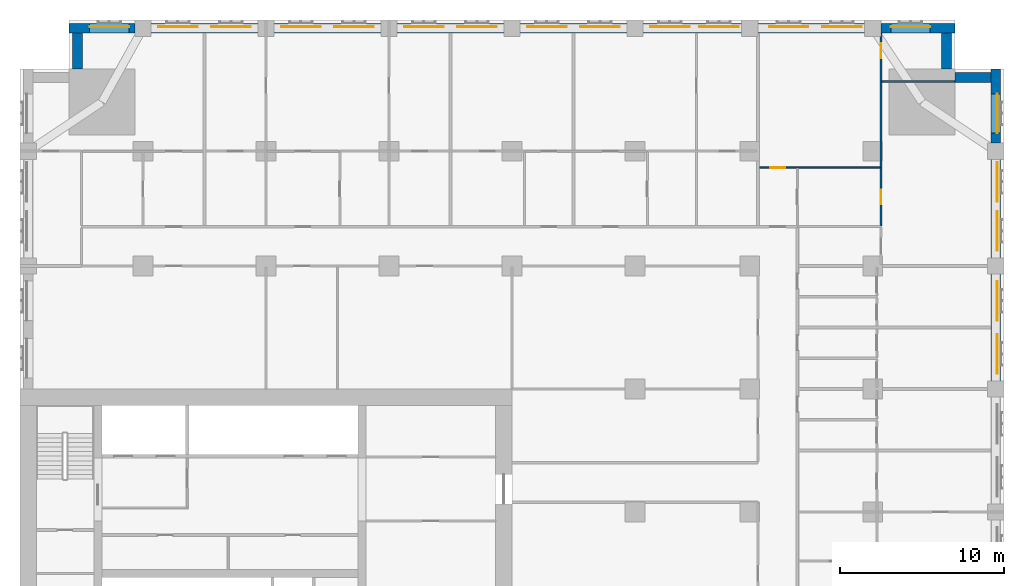
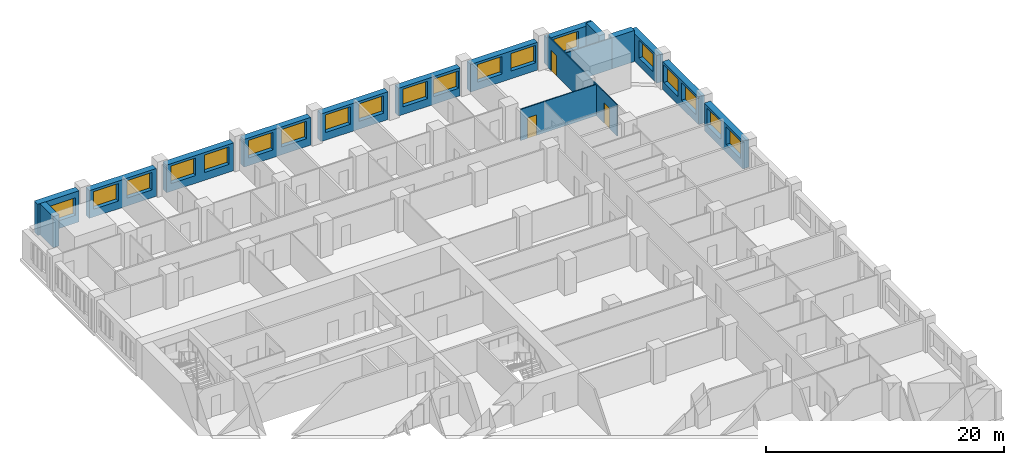
# One storey, part 11 of 14: 19 windows, 17 walls, 3 doors, 22 openings.
"""IFC4 building model written with IfcOpenShell, lengths in metres."""

import ifcopenshell
import ifcopenshell.guid

model = None  # the IFC model being written
_history = None  # IfcOwnerHistory: only IFC2X3 demands one
_inside = {}  # id of a spatial element -> (the spatial element, [elements in it])
_under = {}  # id of a project, library or spatial element -> (it, [spatial elements below it])
_declared = {}  # id of a project -> (the project, [libraries it declares])
_typed = {}  # id of a type object -> (the type object, [elements of that type])
_made_of = {}  # id of a material, layer set ... -> (it, [elements and type objects made of it])


def new_model(schema):
    """Start an empty IFC model of exactly this schema.

    Asked for "IFC4X3", IfcOpenShell would pick the latest addendum, in which some entities
    have other attributes; the version numbers below select the first issue.
    IFC2X3 requires an IfcOwnerHistory on every rooted entity: one is made here for all.
    """
    global model, _history
    if schema == "IFC4X3":
        model = ifcopenshell.file(schema_version=(4, 3, 0, 0))
    else:
        model = ifcopenshell.file(schema=schema)
    _inside.clear()
    _under.clear()
    _declared.clear()
    _typed.clear()
    _made_of.clear()
    _history = None
    if model.schema == "IFC2X3":
        org = make("IfcOrganization", Name="unknown")
        user = make(
            "IfcPersonAndOrganization",
            ThePerson=make("IfcPerson", FamilyName="unknown"),
            TheOrganization=org,
        )
        app = make(
            "IfcApplication",
            ApplicationDeveloper=org,
            Version="unknown",
            ApplicationFullName="unknown",
            ApplicationIdentifier="unknown",
        )
        _history = make(
            "IfcOwnerHistory",
            OwningUser=user,
            OwningApplication=app,
            ChangeAction="ADDED",
            CreationDate=0,
        )
    return model


def make(cls, **values):
    """One entity of the class cls with the attributes given. An attribute that is None is left unset."""
    return model.create_entity(
        cls, **{name: value for name, value in values.items() if value is not None}
    )


def rooted(cls, **values):
    """An entity with a GlobalId (a new one), such as an element, a storey or a relation."""
    return make(cls, GlobalId=ifcopenshell.guid.new(), OwnerHistory=_history, **values)


def si_unit(unit_type, name, prefix=None):
    """IfcSIUnit, for example si_unit("LENGTHUNIT", "METRE", prefix="MILLI")."""
    return make("IfcSIUnit", UnitType=unit_type, Prefix=prefix, Name=name)


def assignment(units):
    """IfcUnitAssignment: the units of a project."""
    return None if units is None else make("IfcUnitAssignment", Units=units)


def point(xyz):
    """IfcCartesianPoint."""
    return None if xyz is None else make("IfcCartesianPoint", Coordinates=xyz)


def direction(xyz):
    """IfcDirection."""
    return None if xyz is None else make("IfcDirection", DirectionRatios=xyz)


def frame(location, z_axis=None, x_axis=None):
    """IfcAxis2Placement3D, a coordinate frame: its origin and axes. An axis left out is left unset."""
    return make(
        "IfcAxis2Placement3D",
        Location=point(location),
        Axis=direction(z_axis),
        RefDirection=direction(x_axis),
    )


def frame_2d(location, x_axis=None):
    """IfcAxis2Placement2D, a coordinate frame in the plane: its origin and x axis."""
    return make(
        "IfcAxis2Placement2D", Location=point(location), RefDirection=direction(x_axis)
    )


def origin():
    """The frame at (0, 0, 0) with its axes left unset."""
    return frame((0.0, 0.0, 0.0))


def place(relative_to, where):
    """IfcLocalPlacement: puts the frame where relative to a parent placement (None: the world)."""
    return make(
        "IfcLocalPlacement", PlacementRelTo=relative_to, RelativePlacement=where
    )


def context(
    kind, dimensions, precision=None, world=None, true_north=None, identifier=None
):
    """IfcGeometricRepresentationContext, for example the 3D "Model" context."""
    return make(
        "IfcGeometricRepresentationContext",
        ContextIdentifier=identifier,
        ContextType=kind,
        CoordinateSpaceDimension=dimensions,
        Precision=precision,
        WorldCoordinateSystem=world,
        TrueNorth=true_north,
    )


def subcontext(parent, identifier, kind, view, scale=None):
    """IfcGeometricRepresentationSubContext, for example "Body" below "Model"."""
    return make(
        "IfcGeometricRepresentationSubContext",
        ContextIdentifier=identifier,
        ContextType=kind,
        ParentContext=parent,
        TargetScale=scale,
        TargetView=view,
    )


def project(units=None, contexts=None):
    """IfcProject with its units and contexts."""
    return rooted(
        "IfcProject",
        Name="project",
        RepresentationContexts=contexts,
        UnitsInContext=assignment(units),
    )


def spatial(cls, under=None, at=None, **own):
    """A site, building, storey or space (cls), placed at a placement, below another one or the project."""
    s = rooted(cls, ObjectPlacement=at, **own)
    if under is not None:
        _under.setdefault(under.id(), (under, []))[1].append(s)
    return s


def profile(cls, at=None, kind="AREA", **sizes):
    """A parametric profile (cls). Its sizes go by their IFC names, for example OverallWidth=200.0."""
    return make(cls, ProfileType=kind, Position=at, **sizes)


def rectangle(**sizes):
    """IfcRectangleProfileDef."""
    return profile("IfcRectangleProfileDef", **sizes)


def extrude(swept, where, along, depth):
    """IfcExtrudedAreaSolid: the profile swept, set in the frame where, extruded along a direction by depth."""
    return make(
        "IfcExtrudedAreaSolid",
        SweptArea=swept,
        Position=where,
        ExtrudedDirection=direction(along),
        Depth=depth,
    )


def shape(context_of_items, identifier, shape_type, items):
    """IfcShapeRepresentation: the items that make up one representation, for example the "Body"."""
    return make(
        "IfcShapeRepresentation",
        ContextOfItems=context_of_items,
        RepresentationIdentifier=identifier,
        RepresentationType=shape_type,
        Items=items,
    )


def material(Name=None, Category=None):
    """IfcMaterial."""
    return make("IfcMaterial", Name=Name, Category=Category)


def layer(
    of_material, thickness, ventilated=None, Name=None, Category=None, Priority=None
):
    """IfcMaterialLayer: one layer of a wall or slab, of a material (None: an air gap)."""
    return make(
        "IfcMaterialLayer",
        Material=of_material,
        LayerThickness=thickness,
        IsVentilated=ventilated,
        Name=Name,
        Category=Category,
        Priority=Priority,
    )


def layer_set(layers, Name=None):
    """IfcMaterialLayerSet."""
    return make("IfcMaterialLayerSet", MaterialLayers=layers, LayerSetName=Name)


def made_of(thing, what):
    """Note that an element or type object is made of a material, layer set ...; save() writes the relation."""
    if what is not None:
        _made_of.setdefault(what.id(), (what, []))[1].append(thing)
    return thing


def type_object(cls, material=None, **own):
    """A type object (cls), such as IfcWallType, which elements share."""
    return made_of(rooted(cls, **own), material)


def element(
    cls,
    number,
    at=None,
    inside=None,
    cuts=None,
    type_object=None,
    material=None,
    context=None,
    identifier="Body",
    shape_type=None,
    held_by="IfcProductDefinitionShape",
    body=None,
    shapes=None,
    **own,
):
    """One element of the class cls, such as IfcWall. Its Tag is "e" and its number.

    at: its placement. inside: the storey or other place that contains it. cuts: it is an
    opening in that element (IfcRelVoidsElement). A single representation is given by context,
    identifier, shape_type and body (its items); several are given by shapes. held_by: the class
    of the entity that holds the representations. save() writes the other relations.
    """
    e = rooted(cls, Tag="e%d" % number, ObjectPlacement=at, **own)
    if body is not None:
        shapes = [shape(context, identifier, shape_type, body)]
    if shapes is not None:
        e.Representation = make(held_by, Representations=shapes)
    if inside is not None:
        _inside.setdefault(inside.id(), (inside, []))[1].append(e)
    if cuts is not None:
        rooted(
            "IfcRelVoidsElement", RelatingBuildingElement=cuts, RelatedOpeningElement=e
        )
    if type_object is not None:
        _typed.setdefault(type_object.id(), (type_object, []))[1].append(e)
    return made_of(e, material)


def fill(opening, filler):
    """IfcRelFillsElement: the door or window that sits in an opening."""
    return rooted(
        "IfcRelFillsElement",
        RelatingOpeningElement=opening,
        RelatedBuildingElement=filler,
    )


def aggregate(whole, parts):
    """IfcRelAggregates: a whole, such as a stair, and the parts it consists of."""
    return rooted("IfcRelAggregates", RelatingObject=whole, RelatedObjects=parts)


def save(model, path):
    """Write the relations noted so far, then the file.

    IfcRelAggregates (storeys below a building ...), IfcRelContainedInSpatialStructure (elements
    in a storey), IfcRelDefinesByType, IfcRelAssociatesMaterial and IfcRelDeclares: one each for
    every whole, place, type object, material and project.
    """
    for whole, parts in _under.values():
        aggregate(whole, parts)
    for where, things in _inside.values():
        rooted(
            "IfcRelContainedInSpatialStructure",
            RelatedElements=things,
            RelatingStructure=where,
        )
    for kind, things in _typed.values():
        rooted("IfcRelDefinesByType", RelatedObjects=things, RelatingType=kind)
    for what, things in _made_of.values():
        rooted("IfcRelAssociatesMaterial", RelatedObjects=things, RelatingMaterial=what)
    for by, libraries in _declared.values():
        rooted("IfcRelDeclares", RelatingContext=by, RelatedDefinitions=libraries)
    model.write(path)


model = new_model("IFC4")

# Units and contexts
model_context = context("Model", 3, precision=1e-05, world=origin(), true_north=direction((0.0, 1.0)))
body_context = subcontext(model_context, "Body", "Model", "MODEL_VIEW")
ifc_project = project(units=[si_unit("LENGTHUNIT", "METRE"), si_unit("AREAUNIT", "SQUARE_METRE"), si_unit("VOLUMEUNIT", "CUBIC_METRE"), si_unit("PLANEANGLEUNIT", "RADIAN"), si_unit("MASSUNIT", "GRAM", prefix="KILO")], contexts=[model_context])

# Site, building, storey
site_placement = place(None, origin())
site = spatial("IfcSite", under=ifc_project, at=site_placement, CompositionType="ELEMENT")
building_placement = place(site_placement, origin())
building = spatial("IfcBuilding", under=site, at=building_placement, Name="Tamorin Gate", CompositionType="ELEMENT")
storey_placement = place(building_placement, frame((0.0, 0.0, 70.0)))
storey = spatial("IfcBuildingStorey", under=building, at=storey_placement, Name="L16", CompositionType="ELEMENT", Elevation=70.0)

# Wall, openings, windows
ifc_material_1 = material(Name="Precast concrete C40/50", Category="concrete")
ifc_layer_1 = layer(ifc_material_1, 0.60009765625)
ifc_layer_set_1 = layer_set([ifc_layer_1], Name="Precast concrete C40/50")
wall_type_1 = type_object("IfcWallType", Name="Board-marked concrete facade panel 600", PredefinedType="SOLIDWALL", material=ifc_layer_set_1)
wall_1_placement = place(storey_placement, frame((89.5, 83.0, 0.0), z_axis=(0.0, 0.0, 1.0), x_axis=(0.0, 1.0, 0.0)))
wall_1 = element("IfcWall", 1, at=wall_1_placement, inside=storey, type_object=wall_type_1, Name="Facade panel", PredefinedType="SOLIDWALL", context=body_context, shape_type="SweptSolid", body=[
    extrude(rectangle(XDim=6.5, YDim=0.60009765625, at=frame_2d((3.25, 0.0))), origin(), (0.0, 0.0, 1.0), 2.85009765625),
])
opening_1_placement = place(wall_1_placement, frame((0.425048828125, 0.0, 0.800048828125)))
opening_1 = element("IfcOpeningElement", 2, at=opening_1_placement, cuts=wall_1, Name="Opening WN1", PredefinedType="OPENING", context=body_context, shape_type="SweptSolid", body=[
    extrude(rectangle(XDim=2.39990234375, YDim=1.800048828125, at=frame_2d((1.199951171875, 0.89990234375))), frame((0.0, 0.31005859375, 0.0), z_axis=(0.0, -1.0, 0.0), x_axis=(1.0, 0.0, 0.0)), (0.0, 0.0, 1.0), 0.6201171875),
])
opening_2_placement = place(wall_1_placement, frame((3.675048828125, 0.0, 0.800048828125)))
opening_2 = element("IfcOpeningElement", 3, at=opening_2_placement, cuts=wall_1, Name="Opening WN1", PredefinedType="OPENING", context=body_context, shape_type="SweptSolid", body=[
    extrude(rectangle(XDim=2.39990234375, YDim=1.800048828125, at=frame_2d((1.199951171875, 0.89990234375))), frame((0.0, 0.31005859375, 0.0), z_axis=(0.0, -1.0, 0.0), x_axis=(1.0, 0.0, 0.0)), (0.0, 0.0, 1.0), 0.6201171875),
])
ifc_material_2 = material(Name="Clear glass in aluminium frame", Category="aluminium")
window_type = type_object("IfcWindowType", Name="Deep-set window 2400x1800", PartitioningType="SINGLE_PANEL", PredefinedType="WINDOW", material=ifc_material_2)
window_1_placement = place(opening_1_placement, origin())
window_1 = element("IfcWindow", 4, at=window_1_placement, inside=storey, type_object=window_type, Name="Deep-set window", OverallHeight=1.800048828125, OverallWidth=2.39990234375, PartitioningType="SINGLE_PANEL", PredefinedType="WINDOW", context=body_context, shape_type="SweptSolid", body=[
    extrude(rectangle(XDim=2.39990234375, YDim=1.800048828125, at=frame_2d((1.199951171875, 0.89990234375))), frame((0.0, -0.070068359375, 0.0), z_axis=(0.0, -1.0, 0.0), x_axis=(1.0, 0.0, 0.0)), (0.0, 0.0, 1.0), 0.06005859375),
])
fill(opening_1, window_1)
window_2_placement = place(opening_2_placement, origin())
window_2 = element("IfcWindow", 5, at=window_2_placement, inside=storey, type_object=window_type, Name="Deep-set window", OverallHeight=1.800048828125, OverallWidth=2.39990234375, PartitioningType="SINGLE_PANEL", PredefinedType="WINDOW", context=body_context, shape_type="SweptSolid", body=[
    extrude(rectangle(XDim=2.39990234375, YDim=1.800048828125, at=frame_2d((1.199951171875, 0.89990234375))), frame((0.0, -0.070068359375, 0.0), z_axis=(0.0, -1.0, 0.0), x_axis=(1.0, 0.0, 0.0)), (0.0, 0.0, 1.0), 0.06005859375),
])
fill(opening_2, window_2)

wall_2_placement = place(storey_placement, frame((89.5, 90.5, 0.0), z_axis=(0.0, 0.0, 1.0), x_axis=(0.0, 1.0, 0.0)))
wall_2 = element("IfcWall", 6, at=wall_2_placement, inside=storey, type_object=wall_type_1, Name="Facade panel", PredefinedType="SOLIDWALL", context=body_context, shape_type="SweptSolid", body=[
    extrude(rectangle(XDim=6.0, YDim=0.60009765625, at=frame_2d((3.0, 0.0))), origin(), (0.0, 0.0, 1.0), 2.85009765625),
])
opening_3_placement = place(wall_2_placement, frame((0.425048828125, 0.0, 0.800048828125)))
opening_3 = element("IfcOpeningElement", 7, at=opening_3_placement, cuts=wall_2, Name="Opening WN1", PredefinedType="OPENING", context=body_context, shape_type="SweptSolid", body=[
    extrude(rectangle(XDim=2.39990234375, YDim=1.800048828125, at=frame_2d((1.199951171875, 0.89990234375))), frame((0.0, 0.31005859375, 0.0), z_axis=(0.0, -1.0, 0.0), x_axis=(1.0, 0.0, 0.0)), (0.0, 0.0, 1.0), 0.6201171875),
])
opening_4_placement = place(wall_2_placement, frame((3.425048828125, 0.0, 0.800048828125)))
opening_4 = element("IfcOpeningElement", 8, at=opening_4_placement, cuts=wall_2, Name="Opening WN1", PredefinedType="OPENING", context=body_context, shape_type="SweptSolid", body=[
    extrude(rectangle(XDim=2.39990234375, YDim=1.800048828125, at=frame_2d((1.199951171875, 0.89990234375))), frame((0.0, 0.31005859375, 0.0), z_axis=(0.0, -1.0, 0.0), x_axis=(1.0, 0.0, 0.0)), (0.0, 0.0, 1.0), 0.6201171875),
])
window_3_placement = place(opening_3_placement, origin())
window_3 = element("IfcWindow", 9, at=window_3_placement, inside=storey, type_object=window_type, Name="Deep-set window", OverallHeight=1.800048828125, OverallWidth=2.39990234375, PartitioningType="SINGLE_PANEL", PredefinedType="WINDOW", context=body_context, shape_type="SweptSolid", body=[
    extrude(rectangle(XDim=2.39990234375, YDim=1.800048828125, at=frame_2d((1.199951171875, 0.89990234375))), frame((0.0, -0.070068359375, 0.0), z_axis=(0.0, -1.0, 0.0), x_axis=(1.0, 0.0, 0.0)), (0.0, 0.0, 1.0), 0.06005859375),
])
fill(opening_3, window_3)
window_4_placement = place(opening_4_placement, origin())
window_4 = element("IfcWindow", 10, at=window_4_placement, inside=storey, type_object=window_type, Name="Deep-set window", OverallHeight=1.800048828125, OverallWidth=2.39990234375, PartitioningType="SINGLE_PANEL", PredefinedType="WINDOW", context=body_context, shape_type="SweptSolid", body=[
    extrude(rectangle(XDim=2.39990234375, YDim=1.800048828125, at=frame_2d((1.199951171875, 0.89990234375))), frame((0.0, -0.070068359375, 0.0), z_axis=(0.0, -1.0, 0.0), x_axis=(1.0, 0.0, 0.0)), (0.0, 0.0, 1.0), 0.06005859375),
])
fill(opening_4, window_4)

# Wall, opening, window
wall_3_placement = place(storey_placement, frame((89.5, 97.5, 0.0), z_axis=(0.0, 0.0, 1.0), x_axis=(0.0, 1.0, 0.0)))
wall_3 = element("IfcWall", 11, at=wall_3_placement, inside=storey, type_object=wall_type_1, Name="Facade panel", PredefinedType="SOLIDWALL", context=body_context, shape_type="SweptSolid", body=[
    extrude(rectangle(XDim=4.5, YDim=0.60009765625, at=frame_2d((2.25, 0.0))), origin(), (0.0, 0.0, 1.0), 2.85009765625),
])
opening_5_placement = place(wall_3_placement, frame((0.60009765625, 0.0, 0.800048828125)))
opening_5 = element("IfcOpeningElement", 12, at=opening_5_placement, cuts=wall_3, Name="Opening WN1", PredefinedType="OPENING", context=body_context, shape_type="SweptSolid", body=[
    extrude(rectangle(XDim=2.39990234375, YDim=1.800048828125, at=frame_2d((1.199951171875, 0.89990234375))), frame((0.0, 0.31005859375, 0.0), z_axis=(0.0, -1.0, 0.0), x_axis=(1.0, 0.0, 0.0)), (0.0, 0.0, 1.0), 0.6201171875),
])
window_5_placement = place(opening_5_placement, origin())
window_5 = element("IfcWindow", 13, at=window_5_placement, inside=storey, type_object=window_type, Name="Deep-set window", OverallHeight=1.800048828125, OverallWidth=2.39990234375, PartitioningType="SINGLE_PANEL", PredefinedType="WINDOW", context=body_context, shape_type="SweptSolid", body=[
    extrude(rectangle(XDim=2.39990234375, YDim=1.800048828125, at=frame_2d((1.199951171875, 0.89990234375))), frame((0.0, -0.070068359375, 0.0), z_axis=(0.0, -1.0, 0.0), x_axis=(1.0, 0.0, 0.0)), (0.0, 0.0, 1.0), 0.06005859375),
])
fill(opening_5, window_5)

# Walls
for number, where, z_axis, x_axis, name in (
    (14, (89.199951171875, 101.5, 0.0), (0.0, 0.0, 1.0), (-1.0, 0.0, 0.0), "Facade panel"),
    (15, (86.5, 102.0, 0.0), (0.0, 0.0, 1.0), (0.0, 1.0, 0.0), "Facade panel"),
):
    element("IfcWall", number, at=place(storey_placement, frame(where, z_axis=z_axis, x_axis=x_axis)), inside=storey, type_object=wall_type_1, Name=name, PredefinedType="SOLIDWALL", context=body_context, shape_type="SweptSolid", body=[
        extrude(rectangle(XDim=2.199951171875, YDim=0.60009765625, at=frame_2d((1.10009765625, 0.0))), origin(), (0.0, 0.0, 1.0), 3.199951171875),
    ])

# Wall, opening, window
wall_4_placement = place(storey_placement, frame((87.0, 104.5, 0.0), z_axis=(0.0, 0.0, 1.0), x_axis=(-1.0, 0.0, 0.0)))
wall_4 = element("IfcWall", 16, at=wall_4_placement, inside=storey, type_object=wall_type_1, Name="Facade panel", PredefinedType="SOLIDWALL", context=body_context, shape_type="SweptSolid", body=[
    extrude(rectangle(XDim=4.5, YDim=0.60009765625, at=frame_2d((2.25, 0.0))), origin(), (0.0, 0.0, 1.0), 2.85009765625),
])
opening_6_placement = place(wall_4_placement, frame((1.5, 0.0, 0.800048828125)))
opening_6 = element("IfcOpeningElement", 17, at=opening_6_placement, cuts=wall_4, Name="Opening WN1", PredefinedType="OPENING", context=body_context, shape_type="SweptSolid", body=[
    extrude(rectangle(XDim=2.39990234375, YDim=1.800048828125, at=frame_2d((1.199951171875, 0.89990234375))), frame((0.0, 0.31005859375, 0.0), z_axis=(0.0, -1.0, 0.0), x_axis=(1.0, 0.0, 0.0)), (0.0, 0.0, 1.0), 0.6201171875),
])
window_6_placement = place(opening_6_placement, origin())
window_6 = element("IfcWindow", 18, at=window_6_placement, inside=storey, type_object=window_type, Name="Deep-set window", OverallHeight=1.800048828125, OverallWidth=2.39990234375, PartitioningType="SINGLE_PANEL", PredefinedType="WINDOW", context=body_context, shape_type="SweptSolid", body=[
    extrude(rectangle(XDim=2.39990234375, YDim=1.800048828125, at=frame_2d((1.199951171875, 0.89990234375))), frame((0.0, -0.070068359375, 0.0), z_axis=(0.0, -1.0, 0.0), x_axis=(1.0, 0.0, 0.0)), (0.0, 0.0, 1.0), 0.06005859375),
])
fill(opening_6, window_6)

# Wall, openings, windows
wall_5_placement = place(storey_placement, frame((81.5, 104.5, 0.0), z_axis=(0.0, 0.0, 1.0), x_axis=(-1.0, 0.0, 0.0)))
wall_5 = element("IfcWall", 19, at=wall_5_placement, inside=storey, type_object=wall_type_1, Name="Facade panel", PredefinedType="SOLIDWALL", context=body_context, shape_type="SweptSolid", body=[
    extrude(rectangle(XDim=6.5, YDim=0.60009765625, at=frame_2d((3.25, 0.0))), origin(), (0.0, 0.0, 1.0), 2.85009765625),
])
opening_7_placement = place(wall_5_placement, frame((3.425048828125, 0.0, 0.800048828125)))
opening_7 = element("IfcOpeningElement", 20, at=opening_7_placement, cuts=wall_5, Name="Opening WN1", PredefinedType="OPENING", context=body_context, shape_type="SweptSolid", body=[
    extrude(rectangle(XDim=2.39990234375, YDim=1.800048828125, at=frame_2d((1.199951171875, 0.89990234375))), frame((0.0, 0.31005859375, 0.0), z_axis=(0.0, -1.0, 0.0), x_axis=(1.0, 0.0, 0.0)), (0.0, 0.0, 1.0), 0.6201171875),
])
opening_8_placement = place(wall_5_placement, frame((0.175048828125, 0.0, 0.800048828125)))
opening_8 = element("IfcOpeningElement", 21, at=opening_8_placement, cuts=wall_5, Name="Opening WN1", PredefinedType="OPENING", context=body_context, shape_type="SweptSolid", body=[
    extrude(rectangle(XDim=2.39990234375, YDim=1.800048828125, at=frame_2d((1.199951171875, 0.89990234375))), frame((0.0, 0.31005859375, 0.0), z_axis=(0.0, -1.0, 0.0), x_axis=(1.0, 0.0, 0.0)), (0.0, 0.0, 1.0), 0.6201171875),
])
window_7_placement = place(opening_7_placement, origin())
window_7 = element("IfcWindow", 22, at=window_7_placement, inside=storey, type_object=window_type, Name="Deep-set window", OverallHeight=1.800048828125, OverallWidth=2.39990234375, PartitioningType="SINGLE_PANEL", PredefinedType="WINDOW", context=body_context, shape_type="SweptSolid", body=[
    extrude(rectangle(XDim=2.39990234375, YDim=1.800048828125, at=frame_2d((1.199951171875, 0.89990234375))), frame((0.0, -0.070068359375, 0.0), z_axis=(0.0, -1.0, 0.0), x_axis=(1.0, 0.0, 0.0)), (0.0, 0.0, 1.0), 0.06005859375),
])
fill(opening_7, window_7)
window_8_placement = place(opening_8_placement, origin())
window_8 = element("IfcWindow", 23, at=window_8_placement, inside=storey, type_object=window_type, Name="Deep-set window", OverallHeight=1.800048828125, OverallWidth=2.39990234375, PartitioningType="SINGLE_PANEL", PredefinedType="WINDOW", context=body_context, shape_type="SweptSolid", body=[
    extrude(rectangle(XDim=2.39990234375, YDim=1.800048828125, at=frame_2d((1.199951171875, 0.89990234375))), frame((0.0, -0.070068359375, 0.0), z_axis=(0.0, -1.0, 0.0), x_axis=(1.0, 0.0, 0.0)), (0.0, 0.0, 1.0), 0.06005859375),
])
fill(opening_8, window_8)

wall_6_placement = place(storey_placement, frame((74.0, 104.5, 0.0), z_axis=(0.0, 0.0, 1.0), x_axis=(-1.0, 0.0, 0.0)))
wall_6 = element("IfcWall", 24, at=wall_6_placement, inside=storey, type_object=wall_type_1, Name="Facade panel", PredefinedType="SOLIDWALL", context=body_context, shape_type="SweptSolid", body=[
    extrude(rectangle(XDim=6.0, YDim=0.60009765625, at=frame_2d((3.0, 0.0))), origin(), (0.0, 0.0, 1.0), 2.85009765625),
])
opening_9_placement = place(wall_6_placement, frame((3.175048828125, 0.0, 0.800048828125)))
opening_9 = element("IfcOpeningElement", 25, at=opening_9_placement, cuts=wall_6, Name="Opening WN1", PredefinedType="OPENING", context=body_context, shape_type="SweptSolid", body=[
    extrude(rectangle(XDim=2.39990234375, YDim=1.800048828125, at=frame_2d((1.199951171875, 0.89990234375))), frame((0.0, 0.31005859375, 0.0), z_axis=(0.0, -1.0, 0.0), x_axis=(1.0, 0.0, 0.0)), (0.0, 0.0, 1.0), 0.6201171875),
])
opening_10_placement = place(wall_6_placement, frame((0.175048828125, 0.0, 0.800048828125)))
opening_10 = element("IfcOpeningElement", 26, at=opening_10_placement, cuts=wall_6, Name="Opening WN1", PredefinedType="OPENING", context=body_context, shape_type="SweptSolid", body=[
    extrude(rectangle(XDim=2.39990234375, YDim=1.800048828125, at=frame_2d((1.199951171875, 0.89990234375))), frame((0.0, 0.31005859375, 0.0), z_axis=(0.0, -1.0, 0.0), x_axis=(1.0, 0.0, 0.0)), (0.0, 0.0, 1.0), 0.6201171875),
])
window_9_placement = place(opening_9_placement, origin())
window_9 = element("IfcWindow", 27, at=window_9_placement, inside=storey, type_object=window_type, Name="Deep-set window", OverallHeight=1.800048828125, OverallWidth=2.39990234375, PartitioningType="SINGLE_PANEL", PredefinedType="WINDOW", context=body_context, shape_type="SweptSolid", body=[
    extrude(rectangle(XDim=2.39990234375, YDim=1.800048828125, at=frame_2d((1.199951171875, 0.89990234375))), frame((0.0, -0.070068359375, 0.0), z_axis=(0.0, -1.0, 0.0), x_axis=(1.0, 0.0, 0.0)), (0.0, 0.0, 1.0), 0.06005859375),
])
fill(opening_9, window_9)
window_10_placement = place(opening_10_placement, origin())
window_10 = element("IfcWindow", 28, at=window_10_placement, inside=storey, type_object=window_type, Name="Deep-set window", OverallHeight=1.800048828125, OverallWidth=2.39990234375, PartitioningType="SINGLE_PANEL", PredefinedType="WINDOW", context=body_context, shape_type="SweptSolid", body=[
    extrude(rectangle(XDim=2.39990234375, YDim=1.800048828125, at=frame_2d((1.199951171875, 0.89990234375))), frame((0.0, -0.070068359375, 0.0), z_axis=(0.0, -1.0, 0.0), x_axis=(1.0, 0.0, 0.0)), (0.0, 0.0, 1.0), 0.06005859375),
])
fill(opening_10, window_10)

wall_7_placement = place(storey_placement, frame((67.0, 104.5, 0.0), z_axis=(0.0, 0.0, 1.0), x_axis=(-1.0, 0.0, 0.0)))
wall_7 = element("IfcWall", 29, at=wall_7_placement, inside=storey, type_object=wall_type_1, Name="Facade panel", PredefinedType="SOLIDWALL", context=body_context, shape_type="SweptSolid", body=[
    extrude(rectangle(XDim=6.5, YDim=0.60009765625, at=frame_2d((3.25, 0.0))), origin(), (0.0, 0.0, 1.0), 2.85009765625),
])
opening_11_placement = place(wall_7_placement, frame((3.675048828125, 0.0, 0.800048828125)))
opening_11 = element("IfcOpeningElement", 30, at=opening_11_placement, cuts=wall_7, Name="Opening WN1", PredefinedType="OPENING", context=body_context, shape_type="SweptSolid", body=[
    extrude(rectangle(XDim=2.39990234375, YDim=1.800048828125, at=frame_2d((1.199951171875, 0.89990234375))), frame((0.0, 0.31005859375, 0.0), z_axis=(0.0, -1.0, 0.0), x_axis=(1.0, 0.0, 0.0)), (0.0, 0.0, 1.0), 0.6201171875),
])
opening_12_placement = place(wall_7_placement, frame((0.425048828125, 0.0, 0.800048828125)))
opening_12 = element("IfcOpeningElement", 31, at=opening_12_placement, cuts=wall_7, Name="Opening WN1", PredefinedType="OPENING", context=body_context, shape_type="SweptSolid", body=[
    extrude(rectangle(XDim=2.39990234375, YDim=1.800048828125, at=frame_2d((1.199951171875, 0.89990234375))), frame((0.0, 0.31005859375, 0.0), z_axis=(0.0, -1.0, 0.0), x_axis=(1.0, 0.0, 0.0)), (0.0, 0.0, 1.0), 0.6201171875),
])
window_11_placement = place(opening_11_placement, origin())
window_11 = element("IfcWindow", 32, at=window_11_placement, inside=storey, type_object=window_type, Name="Deep-set window", OverallHeight=1.800048828125, OverallWidth=2.39990234375, PartitioningType="SINGLE_PANEL", PredefinedType="WINDOW", context=body_context, shape_type="SweptSolid", body=[
    extrude(rectangle(XDim=2.39990234375, YDim=1.800048828125, at=frame_2d((1.199951171875, 0.89990234375))), frame((0.0, -0.070068359375, 0.0), z_axis=(0.0, -1.0, 0.0), x_axis=(1.0, 0.0, 0.0)), (0.0, 0.0, 1.0), 0.06005859375),
])
fill(opening_11, window_11)
window_12_placement = place(opening_12_placement, origin())
window_12 = element("IfcWindow", 33, at=window_12_placement, inside=storey, type_object=window_type, Name="Deep-set window", OverallHeight=1.800048828125, OverallWidth=2.39990234375, PartitioningType="SINGLE_PANEL", PredefinedType="WINDOW", context=body_context, shape_type="SweptSolid", body=[
    extrude(rectangle(XDim=2.39990234375, YDim=1.800048828125, at=frame_2d((1.199951171875, 0.89990234375))), frame((0.0, -0.070068359375, 0.0), z_axis=(0.0, -1.0, 0.0), x_axis=(1.0, 0.0, 0.0)), (0.0, 0.0, 1.0), 0.06005859375),
])
fill(opening_12, window_12)

wall_8_placement = place(storey_placement, frame((59.5, 104.5, 0.0), z_axis=(0.0, 0.0, 1.0), x_axis=(-1.0, 0.0, 0.0)))
wall_8 = element("IfcWall", 34, at=wall_8_placement, inside=storey, type_object=wall_type_1, Name="Facade panel", PredefinedType="SOLIDWALL", context=body_context, shape_type="SweptSolid", body=[
    extrude(rectangle(XDim=6.5, YDim=0.60009765625, at=frame_2d((3.25, 0.0))), origin(), (0.0, 0.0, 1.0), 2.85009765625),
])
opening_13_placement = place(wall_8_placement, frame((3.675048828125, 0.0, 0.800048828125)))
opening_13 = element("IfcOpeningElement", 35, at=opening_13_placement, cuts=wall_8, Name="Opening WN1", PredefinedType="OPENING", context=body_context, shape_type="SweptSolid", body=[
    extrude(rectangle(XDim=2.39990234375, YDim=1.800048828125, at=frame_2d((1.199951171875, 0.89990234375))), frame((0.0, 0.31005859375, 0.0), z_axis=(0.0, -1.0, 0.0), x_axis=(1.0, 0.0, 0.0)), (0.0, 0.0, 1.0), 0.6201171875),
])
opening_14_placement = place(wall_8_placement, frame((0.425048828125, 0.0, 0.800048828125)))
opening_14 = element("IfcOpeningElement", 36, at=opening_14_placement, cuts=wall_8, Name="Opening WN1", PredefinedType="OPENING", context=body_context, shape_type="SweptSolid", body=[
    extrude(rectangle(XDim=2.39990234375, YDim=1.800048828125, at=frame_2d((1.199951171875, 0.89990234375))), frame((0.0, 0.31005859375, 0.0), z_axis=(0.0, -1.0, 0.0), x_axis=(1.0, 0.0, 0.0)), (0.0, 0.0, 1.0), 0.6201171875),
])
window_13_placement = place(opening_13_placement, origin())
window_13 = element("IfcWindow", 37, at=window_13_placement, inside=storey, type_object=window_type, Name="Deep-set window", OverallHeight=1.800048828125, OverallWidth=2.39990234375, PartitioningType="SINGLE_PANEL", PredefinedType="WINDOW", context=body_context, shape_type="SweptSolid", body=[
    extrude(rectangle(XDim=2.39990234375, YDim=1.800048828125, at=frame_2d((1.199951171875, 0.89990234375))), frame((0.0, -0.070068359375, 0.0), z_axis=(0.0, -1.0, 0.0), x_axis=(1.0, 0.0, 0.0)), (0.0, 0.0, 1.0), 0.06005859375),
])
fill(opening_13, window_13)
window_14_placement = place(opening_14_placement, origin())
window_14 = element("IfcWindow", 38, at=window_14_placement, inside=storey, type_object=window_type, Name="Deep-set window", OverallHeight=1.800048828125, OverallWidth=2.39990234375, PartitioningType="SINGLE_PANEL", PredefinedType="WINDOW", context=body_context, shape_type="SweptSolid", body=[
    extrude(rectangle(XDim=2.39990234375, YDim=1.800048828125, at=frame_2d((1.199951171875, 0.89990234375))), frame((0.0, -0.070068359375, 0.0), z_axis=(0.0, -1.0, 0.0), x_axis=(1.0, 0.0, 0.0)), (0.0, 0.0, 1.0), 0.06005859375),
])
fill(opening_14, window_14)

wall_9_placement = place(storey_placement, frame((52.0, 104.5, 0.0), z_axis=(0.0, 0.0, 1.0), x_axis=(-1.0, 0.0, 0.0)))
wall_9 = element("IfcWall", 39, at=wall_9_placement, inside=storey, type_object=wall_type_1, Name="Facade panel", PredefinedType="SOLIDWALL", context=body_context, shape_type="SweptSolid", body=[
    extrude(rectangle(XDim=6.5, YDim=0.60009765625, at=frame_2d((3.25, 0.0))), origin(), (0.0, 0.0, 1.0), 2.85009765625),
])
opening_15_placement = place(wall_9_placement, frame((3.675048828125, 0.0, 0.800048828125)))
opening_15 = element("IfcOpeningElement", 40, at=opening_15_placement, cuts=wall_9, Name="Opening WN1", PredefinedType="OPENING", context=body_context, shape_type="SweptSolid", body=[
    extrude(rectangle(XDim=2.39990234375, YDim=1.800048828125, at=frame_2d((1.199951171875, 0.89990234375))), frame((0.0, 0.31005859375, 0.0), z_axis=(0.0, -1.0, 0.0), x_axis=(1.0, 0.0, 0.0)), (0.0, 0.0, 1.0), 0.6201171875),
])
opening_16_placement = place(wall_9_placement, frame((0.425048828125, 0.0, 0.800048828125)))
opening_16 = element("IfcOpeningElement", 41, at=opening_16_placement, cuts=wall_9, Name="Opening WN1", PredefinedType="OPENING", context=body_context, shape_type="SweptSolid", body=[
    extrude(rectangle(XDim=2.39990234375, YDim=1.800048828125, at=frame_2d((1.199951171875, 0.89990234375))), frame((0.0, 0.31005859375, 0.0), z_axis=(0.0, -1.0, 0.0), x_axis=(1.0, 0.0, 0.0)), (0.0, 0.0, 1.0), 0.6201171875),
])
window_15_placement = place(opening_15_placement, origin())
window_15 = element("IfcWindow", 42, at=window_15_placement, inside=storey, type_object=window_type, Name="Deep-set window", OverallHeight=1.800048828125, OverallWidth=2.39990234375, PartitioningType="SINGLE_PANEL", PredefinedType="WINDOW", context=body_context, shape_type="SweptSolid", body=[
    extrude(rectangle(XDim=2.39990234375, YDim=1.800048828125, at=frame_2d((1.199951171875, 0.89990234375))), frame((0.0, -0.070068359375, 0.0), z_axis=(0.0, -1.0, 0.0), x_axis=(1.0, 0.0, 0.0)), (0.0, 0.0, 1.0), 0.06005859375),
])
fill(opening_15, window_15)
window_16_placement = place(opening_16_placement, origin())
window_16 = element("IfcWindow", 43, at=window_16_placement, inside=storey, type_object=window_type, Name="Deep-set window", OverallHeight=1.800048828125, OverallWidth=2.39990234375, PartitioningType="SINGLE_PANEL", PredefinedType="WINDOW", context=body_context, shape_type="SweptSolid", body=[
    extrude(rectangle(XDim=2.39990234375, YDim=1.800048828125, at=frame_2d((1.199951171875, 0.89990234375))), frame((0.0, -0.070068359375, 0.0), z_axis=(0.0, -1.0, 0.0), x_axis=(1.0, 0.0, 0.0)), (0.0, 0.0, 1.0), 0.06005859375),
])
fill(opening_16, window_16)

wall_10_placement = place(storey_placement, frame((44.5, 104.5, 0.0), z_axis=(0.0, 0.0, 1.0), x_axis=(-1.0, 0.0, 0.0)))
wall_10 = element("IfcWall", 44, at=wall_10_placement, inside=storey, type_object=wall_type_1, Name="Facade panel", PredefinedType="SOLIDWALL", context=body_context, shape_type="SweptSolid", body=[
    extrude(rectangle(XDim=6.5, YDim=0.60009765625, at=frame_2d((3.25, 0.0))), origin(), (0.0, 0.0, 1.0), 2.85009765625),
])
opening_17_placement = place(wall_10_placement, frame((3.675048828125, 0.0, 0.800048828125)))
opening_17 = element("IfcOpeningElement", 45, at=opening_17_placement, cuts=wall_10, Name="Opening WN1", PredefinedType="OPENING", context=body_context, shape_type="SweptSolid", body=[
    extrude(rectangle(XDim=2.39990234375, YDim=1.800048828125, at=frame_2d((1.199951171875, 0.89990234375))), frame((0.0, 0.31005859375, 0.0), z_axis=(0.0, -1.0, 0.0), x_axis=(1.0, 0.0, 0.0)), (0.0, 0.0, 1.0), 0.6201171875),
])
opening_18_placement = place(wall_10_placement, frame((0.425048828125, 0.0, 0.800048828125)))
opening_18 = element("IfcOpeningElement", 46, at=opening_18_placement, cuts=wall_10, Name="Opening WN1", PredefinedType="OPENING", context=body_context, shape_type="SweptSolid", body=[
    extrude(rectangle(XDim=2.39990234375, YDim=1.800048828125, at=frame_2d((1.199951171875, 0.89990234375))), frame((0.0, 0.31005859375, 0.0), z_axis=(0.0, -1.0, 0.0), x_axis=(1.0, 0.0, 0.0)), (0.0, 0.0, 1.0), 0.6201171875),
])
window_17_placement = place(opening_17_placement, origin())
window_17 = element("IfcWindow", 47, at=window_17_placement, inside=storey, type_object=window_type, Name="Deep-set window", OverallHeight=1.800048828125, OverallWidth=2.39990234375, PartitioningType="SINGLE_PANEL", PredefinedType="WINDOW", context=body_context, shape_type="SweptSolid", body=[
    extrude(rectangle(XDim=2.39990234375, YDim=1.800048828125, at=frame_2d((1.199951171875, 0.89990234375))), frame((0.0, -0.070068359375, 0.0), z_axis=(0.0, -1.0, 0.0), x_axis=(1.0, 0.0, 0.0)), (0.0, 0.0, 1.0), 0.06005859375),
])
fill(opening_17, window_17)
window_18_placement = place(opening_18_placement, origin())
window_18 = element("IfcWindow", 48, at=window_18_placement, inside=storey, type_object=window_type, Name="Deep-set window", OverallHeight=1.800048828125, OverallWidth=2.39990234375, PartitioningType="SINGLE_PANEL", PredefinedType="WINDOW", context=body_context, shape_type="SweptSolid", body=[
    extrude(rectangle(XDim=2.39990234375, YDim=1.800048828125, at=frame_2d((1.199951171875, 0.89990234375))), frame((0.0, -0.070068359375, 0.0), z_axis=(0.0, -1.0, 0.0), x_axis=(1.0, 0.0, 0.0)), (0.0, 0.0, 1.0), 0.06005859375),
])
fill(opening_18, window_18)

# Wall, opening, window
wall_11_placement = place(storey_placement, frame((37.0, 104.5, 0.0), z_axis=(0.0, 0.0, 1.0), x_axis=(-1.0, 0.0, 0.0)))
wall_11 = element("IfcWall", 49, at=wall_11_placement, inside=storey, type_object=wall_type_1, Name="Facade panel", PredefinedType="SOLIDWALL", context=body_context, shape_type="SweptSolid", body=[
    extrude(rectangle(XDim=4.0, YDim=0.60009765625, at=frame_2d((2.0, 0.0))), origin(), (0.0, 0.0, 1.0), 3.199951171875),
])
opening_19_placement = place(wall_11_placement, frame((0.35009765625, 0.0, 0.800048828125)))
opening_19 = element("IfcOpeningElement", 50, at=opening_19_placement, cuts=wall_11, Name="Opening WN1", PredefinedType="OPENING", context=body_context, shape_type="SweptSolid", body=[
    extrude(rectangle(XDim=2.39990234375, YDim=1.800048828125, at=frame_2d((1.199951171875, 0.89990234375))), frame((0.0, 0.31005859375, 0.0), z_axis=(0.0, -1.0, 0.0), x_axis=(1.0, 0.0, 0.0)), (0.0, 0.0, 1.0), 0.6201171875),
])
window_19_placement = place(opening_19_placement, origin())
window_19 = element("IfcWindow", 51, at=window_19_placement, inside=storey, type_object=window_type, Name="Deep-set window", OverallHeight=1.800048828125, OverallWidth=2.39990234375, PartitioningType="SINGLE_PANEL", PredefinedType="WINDOW", context=body_context, shape_type="SweptSolid", body=[
    extrude(rectangle(XDim=2.39990234375, YDim=1.800048828125, at=frame_2d((1.199951171875, 0.89990234375))), frame((0.0, -0.070068359375, 0.0), z_axis=(0.0, -1.0, 0.0), x_axis=(1.0, 0.0, 0.0)), (0.0, 0.0, 1.0), 0.06005859375),
])
fill(opening_19, window_19)

# Wall
wall_12_placement = place(storey_placement, frame((33.5, 104.199951171875, 0.0), z_axis=(0.0, 0.0, 1.0), x_axis=(0.0, -1.0, 0.0)))
element("IfcWall", 52, at=wall_12_placement, inside=storey, type_object=wall_type_1, Name="Facade panel", PredefinedType="SOLIDWALL", context=body_context, shape_type="SweptSolid", body=[
    extrude(rectangle(XDim=2.199951171875, YDim=0.60009765625, at=frame_2d((1.10009765625, 0.0))), origin(), (0.0, 0.0, 1.0), 3.199951171875),
])

# Wall, opening, door
ifc_material_3 = material(Name="Gypsum board partition")
ifc_layer_2 = layer(ifc_material_3, 0.10009765625)
ifc_layer_set_2 = layer_set([ifc_layer_2], Name="Room partition 100")
wall_type_2 = type_object("IfcWallType", Name="Room partition 100", PredefinedType="PARTITIONING", material=ifc_layer_set_2)
wall_13_placement = place(storey_placement, frame((75.10009765625, 96.0, 0.0), z_axis=(0.0, 0.0, 1.0), x_axis=(1.0, 0.0, 0.0)))
wall_13 = element("IfcWall", 53, at=wall_13_placement, inside=storey, type_object=wall_type_2, Name="Room partition 100", PredefinedType="PARTITIONING", context=body_context, shape_type="SweptSolid", body=[
    extrude(rectangle(XDim=7.349853515625, YDim=0.10009765625, at=frame_2d((3.6748046875, 0.0))), origin(), (0.0, 0.0, 1.0), 3.199951171875),
])
opening_20_placement = place(wall_13_placement, frame((0.64990234375, 0.0, 0.0)))
opening_20 = element("IfcOpeningElement", 54, at=opening_20_placement, cuts=wall_13, Name="Opening DH3068", PredefinedType="OPENING", context=body_context, shape_type="SweptSolid", body=[
    extrude(rectangle(XDim=0.89990234375, YDim=2.10009765625, at=frame_2d((0.449951171875, 1.050048828125))), frame((0.0, 0.06005859375, 0.0), z_axis=(0.0, -1.0, 0.0), x_axis=(1.0, 0.0, 0.0)), (0.0, 0.0, 1.0), 0.1201171875),
])
ifc_material_4 = material(Name="Timber door leaf", Category="wood")
door_type = type_object("IfcDoorType", Name="Door 900 x 2100", OperationType="NOTDEFINED", PredefinedType="DOOR", material=ifc_material_4)
door_1_placement = place(opening_20_placement, origin())
door_1 = element("IfcDoor", 55, at=door_1_placement, inside=storey, type_object=door_type, Name="Door DH3068", OperationType="SINGLE_SWING_LEFT", OverallHeight=2.10009765625, OverallWidth=0.89990234375, PredefinedType="DOOR", context=body_context, shape_type="SweptSolid", body=[
    extrude(rectangle(XDim=0.89990234375, YDim=2.10009765625, at=frame_2d((0.449951171875, 1.050048828125))), frame((0.0, 0.02490234375, 0.0), z_axis=(0.0, -1.0, 0.0), x_axis=(1.0, 0.0, 0.0)), (0.0, 0.0, 1.0), 0.050048828125),
])
fill(opening_20, door_1)

# Wall
wall_14_placement = place(storey_placement, frame((82.550048828125, 101.25, 0.0), z_axis=(0.0, 0.0, 1.0), x_axis=(1.0, 0.0, 0.0)))
element("IfcWall", 56, at=wall_14_placement, inside=storey, type_object=wall_type_2, Name="Room partition 100", PredefinedType="PARTITIONING", context=body_context, shape_type="SweptSolid", body=[
    extrude(rectangle(XDim=4.43994140625, YDim=0.10009765625, at=frame_2d((2.219970703125, 0.0))), origin(), (0.0, 0.0, 1.0), 3.199951171875),
])

# Wall, openings, doors
wall_15_placement = place(storey_placement, frame((82.5, 92.46240234375, 0.0), z_axis=(0.0, 0.0, 1.0), x_axis=(0.0, 1.0, 0.0)))
wall_15 = element("IfcWall", 57, at=wall_15_placement, inside=storey, type_object=wall_type_2, Name="Room partition 100", PredefinedType="PARTITIONING", context=body_context, shape_type="SweptSolid", body=[
    extrude(rectangle(XDim=11.7275390625, YDim=0.10009765625, at=frame_2d((5.86376953125, 0.0))), origin(), (0.0, 0.0, 1.0), 3.199951171875),
])
opening_21_placement = place(wall_15_placement, frame((10.21240234375, 0.0, 0.0)))
opening_21 = element("IfcOpeningElement", 58, at=opening_21_placement, cuts=wall_15, Name="Opening DH3070", PredefinedType="OPENING", context=body_context, shape_type="SweptSolid", body=[
    extrude(rectangle(XDim=0.89990234375, YDim=2.10009765625, at=frame_2d((0.449951171875, 1.050048828125))), frame((0.0, 0.06005859375, 0.0), z_axis=(0.0, -1.0, 0.0), x_axis=(1.0, 0.0, 0.0)), (0.0, 0.0, 1.0), 0.1201171875),
])
opening_22_placement = place(wall_15_placement, frame((1.28759765625, 0.0, 0.0)))
opening_22 = element("IfcOpeningElement", 59, at=opening_22_placement, cuts=wall_15, Name="Opening DH3071", PredefinedType="OPENING", context=body_context, shape_type="SweptSolid", body=[
    extrude(rectangle(XDim=0.89990234375, YDim=2.10009765625, at=frame_2d((0.449951171875, 1.050048828125))), frame((0.0, 0.06005859375, 0.0), z_axis=(0.0, -1.0, 0.0), x_axis=(1.0, 0.0, 0.0)), (0.0, 0.0, 1.0), 0.1201171875),
])
door_2_placement = place(opening_21_placement, origin())
door_2 = element("IfcDoor", 60, at=door_2_placement, inside=storey, type_object=door_type, Name="Door DH3070", OperationType="SINGLE_SWING_LEFT", OverallHeight=2.10009765625, OverallWidth=0.89990234375, PredefinedType="DOOR", context=body_context, shape_type="SweptSolid", body=[
    extrude(rectangle(XDim=0.89990234375, YDim=2.10009765625, at=frame_2d((0.449951171875, 1.050048828125))), frame((0.0, 0.02490234375, 0.0), z_axis=(0.0, -1.0, 0.0), x_axis=(1.0, 0.0, 0.0)), (0.0, 0.0, 1.0), 0.050048828125),
])
fill(opening_21, door_2)
door_3_placement = place(opening_22_placement, origin())
door_3 = element("IfcDoor", 61, at=door_3_placement, inside=storey, type_object=door_type, Name="Door DH3071", OperationType="SINGLE_SWING_RIGHT", OverallHeight=2.10009765625, OverallWidth=0.89990234375, PredefinedType="DOOR", context=body_context, shape_type="SweptSolid", body=[
    extrude(rectangle(XDim=0.89990234375, YDim=2.10009765625, at=frame_2d((0.449951171875, 1.050048828125))), frame((0.0, 0.02490234375, 0.0), z_axis=(0.0, -1.0, 0.0), x_axis=(1.0, 0.0, 0.0)), (0.0, 0.0, 1.0), 0.050048828125),
])
fill(opening_22, door_3)

save(model, "model.ifc")
